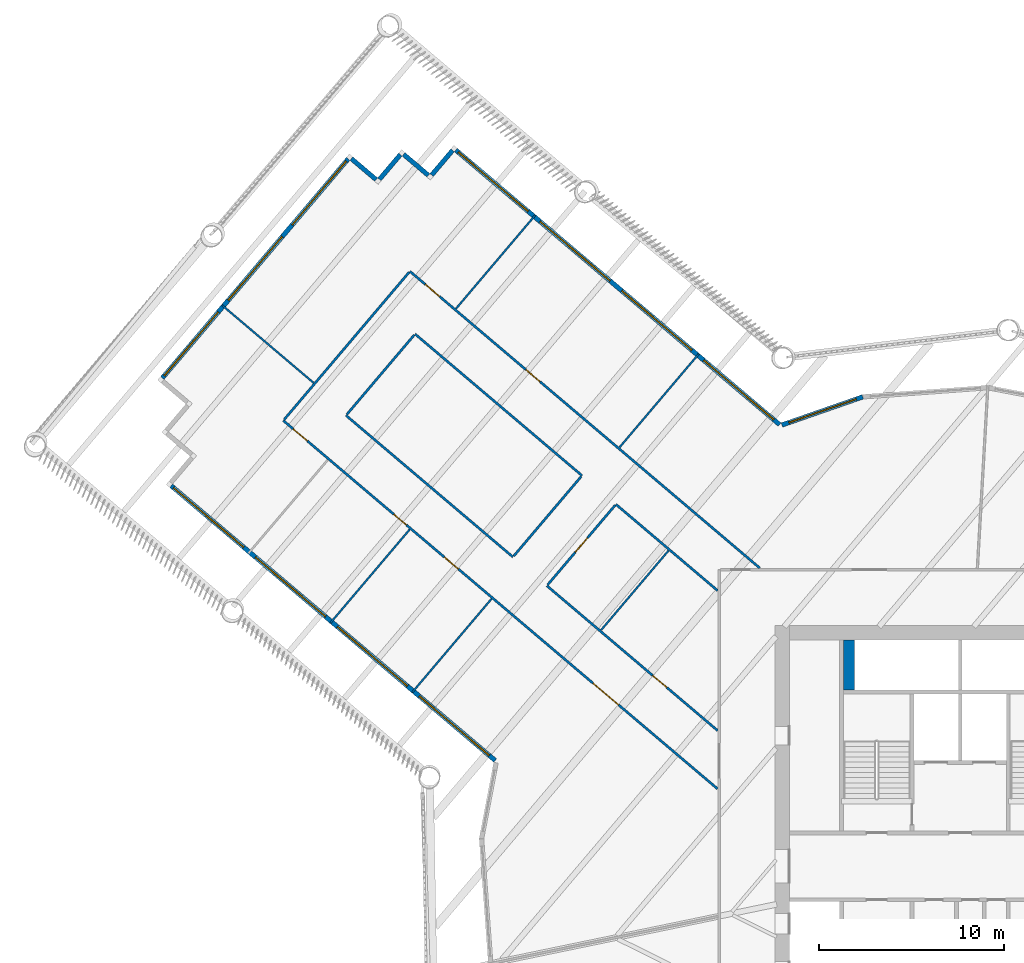
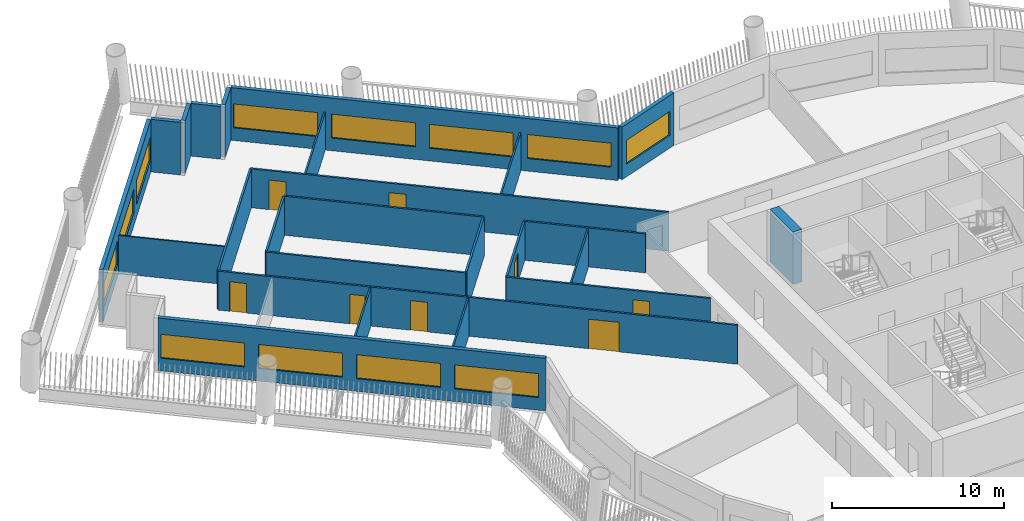
# One storey, part 6 of 16: 25 walls, 12 windows, 8 doors, 20 openings.
"""IFC4 building model written with IfcOpenShell, lengths in metres."""

from ifc_helpers import new_model, si_unit, direction, frame, frame_2d, origin, place, context, subcontext, project, spatial, rectangle, extrude, material, layer, layer_set, type_object, element, fill, save


model = new_model("IFC4")

# Units and contexts
model_context = context("Model", 3, precision=1e-05, world=origin(), true_north=direction((0.0, 1.0)))
body_context = subcontext(model_context, "Body", "Model", "MODEL_VIEW")
ifc_project = project(units=[si_unit("LENGTHUNIT", "METRE"), si_unit("AREAUNIT", "SQUARE_METRE"), si_unit("VOLUMEUNIT", "CUBIC_METRE"), si_unit("PLANEANGLEUNIT", "RADIAN"), si_unit("MASSUNIT", "GRAM", prefix="KILO")], contexts=[model_context])

# Site, building, storey
site_placement = place(None, origin())
site = spatial("IfcSite", under=ifc_project, at=site_placement, CompositionType="ELEMENT")
building_placement = place(site_placement, origin())
building = spatial("IfcBuilding", under=site, at=building_placement, Name="Tarsis Ring Headquarters", CompositionType="ELEMENT")
storey_placement = place(building_placement, frame((0.0, 0.0, 104.5)))
storey = spatial("IfcBuildingStorey", under=building, at=storey_placement, Name="L23", CompositionType="ELEMENT", Elevation=104.5)

# Walls
ifc_material_1 = material(Name="Gypsum board on steel studs", Category="steel")
ifc_layer_1 = layer(ifc_material_1, 0.10009765625)
ifc_layer_set_1 = layer_set([ifc_layer_1], Name="FL partition 100 unrated")
wall_type_1 = type_object("IfcWallType", Name="FL partition 100 unrated", PredefinedType="PARTITIONING", material=ifc_layer_set_1)
for number, where, z_axis, x_axis, name in (
    (1, (-27.20654296875, 30.087646484375, 0.0), (0.0, 0.0, 1.0), (0.646782559298, 0.762674452823, 0.0), "Partition PW3"),
    (2, (-18.382568359375, 22.604248046875, 0.0), (0.0, 0.0, 1.0), (0.646782559298, 0.762674452823, 0.0), "Partition PW3"),
    (3, (-33.97265625, 13.14208984375, 0.0), (0.0, 0.0, 1.0), (0.646804074998, 0.762656206011, 0.0), "Partition PW3"),
    (4, (-29.556640625, 9.397216796875, 0.0), (0.0, 0.0, 1.0), (0.646782559298, 0.762674452823, 0.0), "Partition PW3"),
):
    element("IfcWall", number, at=place(storey_placement, frame(where, z_axis=z_axis, x_axis=x_axis)), inside=storey, type_object=wall_type_1, Name=name, PredefinedType="PARTITIONING", context=body_context, shape_type="SweptSolid", body=[
        extrude(rectangle(XDim=6.60009765625, YDim=0.10009765625, at=frame_2d((3.300048828125, 0.0))), origin(), (0.0, 0.0, 1.0), 2.699951171875),
    ])
wall_1_placement = place(storey_placement, frame((-39.822265625, 30.270751953125, 0.0), z_axis=(0.0, 0.0, 1.0), x_axis=(0.762687362612, -0.646767335997, 0.0)))
element("IfcWall", 5, at=wall_1_placement, inside=storey, type_object=wall_type_1, Name="Partition PW3", PredefinedType="PARTITIONING", context=body_context, shape_type="SweptSolid", body=[
    extrude(rectangle(XDim=6.469970703125, YDim=0.10009765625, at=frame_2d((3.23486328125, 0.0))), origin(), (0.0, 0.0, 1.0), 2.699951171875),
])
wall_2_placement = place(storey_placement, frame((-19.3740234375, 12.74609375, 0.0), z_axis=(0.0, 0.0, 1.0), x_axis=(0.646800626413, 0.762659130721, 0.0)))
element("IfcWall", 6, at=wall_2_placement, inside=storey, type_object=wall_type_1, Name="Partition PW3", PredefinedType="PARTITIONING", context=body_context, shape_type="SweptSolid", body=[
    extrude(rectangle(XDim=5.619873046875, YDim=0.10009765625, at=frame_2d((2.81005859375, 0.0))), origin(), (0.0, 0.0, 1.0), 2.699951171875),
])

# Wall, openings, doors
ifc_layer_2 = layer(ifc_material_1, 0.125)
ifc_layer_set_2 = layer_set([ifc_layer_2], Name="FL partition 125 EI 60 H2770")
wall_type_2 = type_object("IfcWallType", Name="FL partition 125 EI 60 H2770", PredefinedType="PARTITIONING", material=ifc_layer_set_2)
wall_3_placement = place(storey_placement, frame((-36.5224609375, 24.05029296875, 0.0), z_axis=(0.0, 0.0, 1.0), x_axis=(0.762668419575, -0.646789673529, 0.0)))
wall_3 = element("IfcWall", 7, at=wall_3_placement, inside=storey, type_object=wall_type_2, Name="Partition PW1", PredefinedType="PARTITIONING", context=body_context, shape_type="SweptSolid", body=[
    extrude(rectangle(XDim=30.72216796875, YDim=0.125, at=frame_2d((15.361083984375, 0.0))), origin(), (0.0, 0.0, 1.0), 2.77001953125),
])
opening_1_placement = place(wall_3_placement, frame((0.699951171875, 0.0, 0.0)))
opening_1 = element("IfcOpeningElement", 8, at=opening_1_placement, cuts=wall_3, Name="Opening D23.01", PredefinedType="OPENING", context=body_context, shape_type="SweptSolid", body=[
    extrude(rectangle(XDim=1.0, YDim=2.10009765625, at=frame_2d((0.5, 1.050048828125))), frame((0.0, 0.072509765625, 0.0), z_axis=(0.0, -1.0, 0.0), x_axis=(1.0, 0.0, 0.0)), (0.0, 0.0, 1.0), 0.14501953125),
])
opening_2_placement = place(wall_3_placement, frame((21.915771484375, 0.0, 0.0)))
opening_2 = element("IfcOpeningElement", 9, at=opening_2_placement, cuts=wall_3, Name="Opening D23.16", PredefinedType="OPENING", context=body_context, shape_type="SweptSolid", body=[
    extrude(rectangle(XDim=1.800048828125, YDim=2.10009765625, at=frame_2d((0.89990234375, 1.050048828125))), frame((0.0, 0.072509765625, 0.0), z_axis=(0.0, -1.0, 0.0), x_axis=(1.0, 0.0, 0.0)), (0.0, 0.0, 1.0), 0.14501953125),
])
opening_3_placement = place(wall_3_placement, frame((11.392578125, 0.0, 0.0)))
opening_3 = element("IfcOpeningElement", 10, at=opening_3_placement, cuts=wall_3, Name="Opening D23.17", PredefinedType="OPENING", context=body_context, shape_type="SweptSolid", body=[
    extrude(rectangle(XDim=1.0, YDim=2.10009765625, at=frame_2d((0.5, 1.050048828125))), frame((0.0, 0.072509765625, 0.0), z_axis=(0.0, -1.0, 0.0), x_axis=(1.0, 0.0, 0.0)), (0.0, 0.0, 1.0), 0.14501953125),
])
opening_4_placement = place(wall_3_placement, frame((7.812255859375, 0.0, 0.0)))
opening_4 = element("IfcOpeningElement", 11, at=opening_4_placement, cuts=wall_3, Name="Opening D23.18", PredefinedType="OPENING", context=body_context, shape_type="SweptSolid", body=[
    extrude(rectangle(XDim=0.89990234375, YDim=2.10009765625, at=frame_2d((0.449951171875, 1.050048828125))), frame((0.0, 0.072509765625, 0.0), z_axis=(0.0, -1.0, 0.0), x_axis=(1.0, 0.0, 0.0)), (0.0, 0.0, 1.0), 0.14501953125),
])
ifc_material_2 = material(Name="Fire-rated timber door leaf in steel frame", Category="steel")
door_type_1 = type_object("IfcDoorType", Name="FL door FD60-1000", OperationType="NOTDEFINED", PredefinedType="DOOR", material=ifc_material_2)
door_1_placement = place(opening_1_placement, origin())
door_1 = element("IfcDoor", 12, at=door_1_placement, inside=storey, type_object=door_type_1, Name="Door D23.01", OperationType="SINGLE_SWING_RIGHT", OverallHeight=2.10009765625, OverallWidth=1.0, PredefinedType="DOOR", context=body_context, shape_type="SweptSolid", body=[
    extrude(rectangle(XDim=1.0, YDim=2.10009765625, at=frame_2d((0.5, 1.050048828125))), frame((0.0, 0.02490234375, 0.0), z_axis=(0.0, -1.0, 0.0), x_axis=(1.0, 0.0, 0.0)), (0.0, 0.0, 1.0), 0.050048828125),
])
fill(opening_1, door_1)
door_2_placement = place(opening_3_placement, origin())
door_2 = element("IfcDoor", 13, at=door_2_placement, inside=storey, type_object=door_type_1, Name="Door D23.17", OperationType="SINGLE_SWING_RIGHT", OverallHeight=2.10009765625, OverallWidth=1.0, PredefinedType="DOOR", context=body_context, shape_type="SweptSolid", body=[
    extrude(rectangle(XDim=1.0, YDim=2.10009765625, at=frame_2d((0.5, 1.050048828125))), frame((0.0, 0.02490234375, 0.0), z_axis=(0.0, -1.0, 0.0), x_axis=(1.0, 0.0, 0.0)), (0.0, 0.0, 1.0), 0.050048828125),
])
fill(opening_3, door_2)
door_type_2 = type_object("IfcDoorType", Name="FL door FD60-1800", OperationType="DOUBLE_DOOR_SINGLE_SWING", PredefinedType="DOOR", material=ifc_material_2)
door_3_placement = place(opening_2_placement, origin())
door_3 = element("IfcDoor", 14, at=door_3_placement, inside=storey, type_object=door_type_2, Name="Door D23.16", OperationType="DOUBLE_DOOR_SINGLE_SWING", OverallHeight=2.10009765625, OverallWidth=1.800048828125, PredefinedType="DOOR", context=body_context, shape_type="SweptSolid", body=[
    extrude(rectangle(XDim=1.800048828125, YDim=2.10009765625, at=frame_2d((0.89990234375, 1.050048828125))), frame((0.0, 0.02490234375, 0.0), z_axis=(0.0, -1.0, 0.0), x_axis=(1.0, 0.0, 0.0)), (0.0, 0.0, 1.0), 0.050048828125),
])
fill(opening_2, door_3)
door_type_3 = type_object("IfcDoorType", Name="FL door FD60-900", OperationType="NOTDEFINED", PredefinedType="DOOR", material=ifc_material_2)
door_4_placement = place(opening_4_placement, origin())
door_4 = element("IfcDoor", 15, at=door_4_placement, inside=storey, type_object=door_type_3, Name="Door D23.18", OperationType="SINGLE_SWING_LEFT", OverallHeight=2.10009765625, OverallWidth=0.89990234375, PredefinedType="DOOR", context=body_context, shape_type="SweptSolid", body=[
    extrude(rectangle(XDim=0.89990234375, YDim=2.10009765625, at=frame_2d((0.449951171875, 1.050048828125))), frame((0.0, 0.02490234375, 0.0), z_axis=(0.0, -1.0, 0.0), x_axis=(1.0, 0.0, 0.0)), (0.0, 0.0, 1.0), 0.050048828125),
])
fill(opening_4, door_4)

wall_4_placement = place(storey_placement, frame((-29.6923828125, 32.10400390625, 0.0), z_axis=(0.0, 0.0, 1.0), x_axis=(0.762665877064, -0.646792671543, 0.0)))
wall_4 = element("IfcWall", 16, at=wall_4_placement, inside=storey, type_object=wall_type_2, Name="Partition PW1", PredefinedType="PARTITIONING", context=body_context, shape_type="SweptSolid", body=[
    extrude(rectangle(XDim=24.748291015625, YDim=0.125, at=frame_2d((12.3740234375, 0.0))), origin(), (0.0, 0.0, 1.0), 2.77001953125),
])
opening_5_placement = place(wall_4_placement, frame((1.098876953125, 0.0, 0.0)))
opening_5 = element("IfcOpeningElement", 17, at=opening_5_placement, cuts=wall_4, Name="Opening D23.02", PredefinedType="OPENING", context=body_context, shape_type="SweptSolid", body=[
    extrude(rectangle(XDim=1.0, YDim=2.10009765625, at=frame_2d((0.5, 1.050048828125))), frame((0.0, 0.072509765625, 0.0), z_axis=(0.0, -1.0, 0.0), x_axis=(1.0, 0.0, 0.0)), (0.0, 0.0, 1.0), 0.14501953125),
])
opening_6_placement = place(wall_4_placement, frame((8.203857421875, 0.0, 0.0)))
opening_6 = element("IfcOpeningElement", 18, at=opening_6_placement, cuts=wall_4, Name="Opening D23.03", PredefinedType="OPENING", context=body_context, shape_type="SweptSolid", body=[
    extrude(rectangle(XDim=1.0, YDim=2.10009765625, at=frame_2d((0.5, 1.050048828125))), frame((0.0, 0.072509765625, 0.0), z_axis=(0.0, -1.0, 0.0), x_axis=(1.0, 0.0, 0.0)), (0.0, 0.0, 1.0), 0.14501953125),
])
door_5_placement = place(opening_5_placement, origin())
door_5 = element("IfcDoor", 19, at=door_5_placement, inside=storey, type_object=door_type_1, Name="Door D23.02", OperationType="SINGLE_SWING_LEFT", OverallHeight=2.10009765625, OverallWidth=1.0, PredefinedType="DOOR", context=body_context, shape_type="SweptSolid", body=[
    extrude(rectangle(XDim=1.0, YDim=2.10009765625, at=frame_2d((0.5, 1.050048828125))), frame((0.0, 0.02490234375, 0.0), z_axis=(0.0, -1.0, 0.0), x_axis=(1.0, 0.0, 0.0)), (0.0, 0.0, 1.0), 0.050048828125),
])
fill(opening_5, door_5)
door_6_placement = place(opening_6_placement, origin())
door_6 = element("IfcDoor", 20, at=door_6_placement, inside=storey, type_object=door_type_1, Name="Door D23.03", OperationType="SINGLE_SWING_RIGHT", OverallHeight=2.10009765625, OverallWidth=1.0, PredefinedType="DOOR", context=body_context, shape_type="SweptSolid", body=[
    extrude(rectangle(XDim=1.0, YDim=2.10009765625, at=frame_2d((0.5, 1.050048828125))), frame((0.0, 0.02490234375, 0.0), z_axis=(0.0, -1.0, 0.0), x_axis=(1.0, 0.0, 0.0)), (0.0, 0.0, 1.0), 0.050048828125),
])
fill(opening_6, door_6)

# Wall, opening, door
wall_5_placement = place(storey_placement, frame((-22.30224609375, 15.137451171875, 0.0), z_axis=(0.0, 0.0, 1.0), x_axis=(0.762666561976, -0.646791863928, 0.0)))
wall_5 = element("IfcWall", 21, at=wall_5_placement, inside=storey, type_object=wall_type_2, Name="Partition PW1", PredefinedType="PARTITIONING", context=body_context, shape_type="SweptSolid", body=[
    extrude(rectangle(XDim=12.076904296875, YDim=0.125, at=frame_2d((6.03857421875, 0.0))), origin(), (0.0, 0.0, 1.0), 2.77001953125),
])
opening_7_placement = place(wall_5_placement, frame((7.486572265625, 0.0, 0.0)))
opening_7 = element("IfcOpeningElement", 22, at=opening_7_placement, cuts=wall_5, Name="Opening D23.19", PredefinedType="OPENING", context=body_context, shape_type="SweptSolid", body=[
    extrude(rectangle(XDim=1.0, YDim=2.10009765625, at=frame_2d((0.5, 1.050048828125))), frame((0.0, 0.072509765625, 0.0), z_axis=(0.0, -1.0, 0.0), x_axis=(1.0, 0.0, 0.0)), (0.0, 0.0, 1.0), 0.14501953125),
])
door_7_placement = place(opening_7_placement, origin())
door_7 = element("IfcDoor", 23, at=door_7_placement, inside=storey, type_object=door_type_1, Name="Door D23.19", OperationType="SINGLE_SWING_RIGHT", OverallHeight=2.10009765625, OverallWidth=1.0, PredefinedType="DOOR", context=body_context, shape_type="SweptSolid", body=[
    extrude(rectangle(XDim=1.0, YDim=2.10009765625, at=frame_2d((0.5, 1.050048828125))), frame((0.0, 0.02490234375, 0.0), z_axis=(0.0, -1.0, 0.0), x_axis=(1.0, 0.0, 0.0)), (0.0, 0.0, 1.0), 0.050048828125),
])
fill(opening_7, door_7)

# Walls
wall_6_placement = place(storey_placement, frame((-33.139892578125, 24.328369140625, 0.0), z_axis=(0.0, 0.0, 1.0), x_axis=(0.762663631713, -0.64679531914, 0.0)))
element("IfcWall", 24, at=wall_6_placement, inside=storey, type_object=wall_type_2, Name="Partition PW1", PredefinedType="PARTITIONING", context=body_context, shape_type="SweptSolid", body=[
    extrude(rectangle(XDim=11.81005859375, YDim=0.125, at=frame_2d((5.905029296875, 0.0))), origin(), (0.0, 0.0, 1.0), 2.77001953125),
])
wall_7_placement = place(storey_placement, frame((-29.414306640625, 28.72119140625, 0.0), z_axis=(0.0, 0.0, 1.0), x_axis=(0.762673829143, -0.646783294728, 0.0)))
element("IfcWall", 25, at=wall_7_placement, inside=storey, type_object=wall_type_2, Name="Partition PW1", PredefinedType="PARTITIONING", context=body_context, shape_type="SweptSolid", body=[
    extrude(rectangle(XDim=11.809814453125, YDim=0.125, at=frame_2d((5.90478515625, 0.0))), origin(), (0.0, 0.0, 1.0), 2.77001953125),
])
wall_8_placement = place(storey_placement, frame((-36.483642578125, 24.095947265625, 0.0), z_axis=(0.0, 0.0, 1.0), x_axis=(0.646780483776, 0.762676212954, 0.0)))
element("IfcWall", 26, at=wall_8_placement, inside=storey, type_object=wall_type_2, Name="Partition PW1", PredefinedType="PARTITIONING", context=body_context, shape_type="SweptSolid", body=[
    extrude(rectangle(XDim=10.440185546875, YDim=0.125, at=frame_2d((5.22021484375, 0.0))), origin(), (0.0, 0.0, 1.0), 2.77001953125),
])
wall_9_placement = place(storey_placement, frame((-18.576904296875, 19.530517578125, 0.0), z_axis=(0.0, 0.0, 1.0), x_axis=(0.762672510208, -0.646784849987, 0.0)))
element("IfcWall", 27, at=wall_9_placement, inside=storey, type_object=wall_type_2, Name="Partition PW1", PredefinedType="PARTITIONING", context=body_context, shape_type="SweptSolid", body=[
    extrude(rectangle(XDim=7.1923828125, YDim=0.125, at=frame_2d((3.59619140625, 0.0))), origin(), (0.0, 0.0, 1.0), 2.77001953125),
])
wall_10_placement = place(storey_placement, frame((-33.10107421875, 24.3740234375, 0.0), z_axis=(0.0, 0.0, 1.0), x_axis=(0.64678981441, 0.762668300099, 0.0)))
element("IfcWall", 28, at=wall_10_placement, inside=storey, type_object=wall_type_2, Name="Partition PW1", PredefinedType="PARTITIONING", context=body_context, shape_type="SweptSolid", body=[
    extrude(rectangle(XDim=5.64013671875, YDim=0.125, at=frame_2d((2.820068359375, 0.0))), origin(), (0.0, 0.0, 1.0), 2.77001953125),
])

# Wall, opening, door
wall_11_placement = place(storey_placement, frame((-22.263427734375, 15.18310546875, 0.0), z_axis=(0.0, 0.0, 1.0), x_axis=(0.64678981441, 0.762668300099, 0.0)))
wall_11 = element("IfcWall", 29, at=wall_11_placement, inside=storey, type_object=wall_type_2, Name="Partition PW1", PredefinedType="PARTITIONING", context=body_context, shape_type="SweptSolid", body=[
    extrude(rectangle(XDim=5.64013671875, YDim=0.125, at=frame_2d((2.820068359375, 0.0))), origin(), (0.0, 0.0, 1.0), 2.77001953125),
])
opening_8_placement = place(wall_11_placement, frame((2.320068359375, 0.0, 0.0)))
opening_8 = element("IfcOpeningElement", 30, at=opening_8_placement, cuts=wall_11, Name="Opening D23.20", PredefinedType="OPENING", context=body_context, shape_type="SweptSolid", body=[
    extrude(rectangle(XDim=1.0, YDim=2.10009765625, at=frame_2d((0.5, 1.050048828125))), frame((0.0, 0.072509765625, 0.0), z_axis=(0.0, -1.0, 0.0), x_axis=(1.0, 0.0, 0.0)), (0.0, 0.0, 1.0), 0.14501953125),
])
door_8_placement = place(opening_8_placement, origin())
door_8 = element("IfcDoor", 31, at=door_8_placement, inside=storey, type_object=door_type_1, Name="Door D23.20", OperationType="SINGLE_SWING_LEFT", OverallHeight=2.10009765625, OverallWidth=1.0, PredefinedType="DOOR", context=body_context, shape_type="SweptSolid", body=[
    extrude(rectangle(XDim=1.0, YDim=2.10009765625, at=frame_2d((0.5, 1.050048828125))), frame((0.0, 0.02490234375, 0.0), z_axis=(0.0, -1.0, 0.0), x_axis=(1.0, 0.0, 0.0)), (0.0, 0.0, 1.0), 0.050048828125),
])
fill(opening_8, door_8)

# Wall
wall_12_placement = place(storey_placement, frame((-24.093994140625, 16.735595703125, 0.0), z_axis=(0.0, 0.0, 1.0), x_axis=(0.64678981441, 0.762668300099, 0.0)))
element("IfcWall", 32, at=wall_12_placement, inside=storey, type_object=wall_type_2, Name="Partition PW1", PredefinedType="PARTITIONING", context=body_context, shape_type="SweptSolid", body=[
    extrude(rectangle(XDim=5.64013671875, YDim=0.125, at=frame_2d((2.820068359375, 0.0))), origin(), (0.0, 0.0, 1.0), 2.77001953125),
])

# Wall, openings, windows
ifc_material_3 = material(Name="Terracotta clad insulated panel wall", Category="masonry")
ifc_layer_3 = layer(ifc_material_3, 0.25)
ifc_layer_set_3 = layer_set([ifc_layer_3], Name="Facade wall terracotta panel 250")
wall_type_3 = type_object("IfcWallType", Name="Facade wall terracotta panel 250", PredefinedType="STANDARD", material=ifc_layer_set_3)
wall_13_placement = place(storey_placement, frame((-42.57275390625, 20.533935546875, 0.0), z_axis=(0.0, 0.0, 1.0), x_axis=(0.762669927662, -0.646787895249, 0.0)))
wall_13 = element("IfcWall", 33, at=wall_13_placement, inside=storey, type_object=wall_type_3, Name="External wall L23-01", PredefinedType="STANDARD", context=body_context, shape_type="SweptSolid", body=[
    extrude(rectangle(XDim=22.922119140625, YDim=0.25, at=frame_2d((11.4609375, 0.0))), origin(), (0.0, 0.0, 1.0), 3.739990234375),
])
opening_9_placement = place(wall_13_placement, frame((0.17138671875, 0.0, 0.89990234375)))
opening_9 = element("IfcOpeningElement", 34, at=opening_9_placement, cuts=wall_13, Name="Opening WN05", PredefinedType="OPENING", context=body_context, shape_type="SweptSolid", body=[
    extrude(rectangle(XDim=4.949951171875, YDim=1.699951171875, at=frame_2d((2.47509765625, 0.85009765625))), frame((0.0, 0.135009765625, 0.0), z_axis=(0.0, -1.0, 0.0), x_axis=(1.0, 0.0, 0.0)), (0.0, 0.0, 1.0), 0.27001953125),
])
opening_10_placement = place(wall_13_placement, frame((5.964599609375, 0.0, 0.89990234375)))
opening_10 = element("IfcOpeningElement", 35, at=opening_10_placement, cuts=wall_13, Name="Opening WN05", PredefinedType="OPENING", context=body_context, shape_type="SweptSolid", body=[
    extrude(rectangle(XDim=4.949951171875, YDim=1.699951171875, at=frame_2d((2.47509765625, 0.85009765625))), frame((0.0, 0.135009765625, 0.0), z_axis=(0.0, -1.0, 0.0), x_axis=(1.0, 0.0, 0.0)), (0.0, 0.0, 1.0), 0.27001953125),
])
opening_11_placement = place(wall_13_placement, frame((11.757568359375, 0.0, 0.89990234375)))
opening_11 = element("IfcOpeningElement", 36, at=opening_11_placement, cuts=wall_13, Name="Opening WN05", PredefinedType="OPENING", context=body_context, shape_type="SweptSolid", body=[
    extrude(rectangle(XDim=4.949951171875, YDim=1.699951171875, at=frame_2d((2.47509765625, 0.85009765625))), frame((0.0, 0.135009765625, 0.0), z_axis=(0.0, -1.0, 0.0), x_axis=(1.0, 0.0, 0.0)), (0.0, 0.0, 1.0), 0.27001953125),
])
opening_12_placement = place(wall_13_placement, frame((17.550537109375, 0.0, 0.89990234375)))
opening_12 = element("IfcOpeningElement", 37, at=opening_12_placement, cuts=wall_13, Name="Opening WN05", PredefinedType="OPENING", context=body_context, shape_type="SweptSolid", body=[
    extrude(rectangle(XDim=4.949951171875, YDim=1.699951171875, at=frame_2d((2.47509765625, 0.85009765625))), frame((0.0, 0.135009765625, 0.0), z_axis=(0.0, -1.0, 0.0), x_axis=(1.0, 0.0, 0.0)), (0.0, 0.0, 1.0), 0.27001953125),
])
ifc_material_4 = material(Name="Aluminium framed double glazing", Category="aluminium")
window_type_1 = type_object("IfcWindowType", Name="Facade window 4950 x 1700", PartitioningType="SINGLE_PANEL", PredefinedType="WINDOW", material=ifc_material_4)
window_1_placement = place(opening_9_placement, origin())
window_1 = element("IfcWindow", 38, at=window_1_placement, inside=storey, type_object=window_type_1, Name="Window L23-01.1", OverallHeight=1.699951171875, OverallWidth=4.949951171875, PartitioningType="SINGLE_PANEL", PredefinedType="WINDOW", context=body_context, shape_type="SweptSolid", body=[
    extrude(rectangle(XDim=4.949951171875, YDim=1.699951171875, at=frame_2d((2.47509765625, 0.85009765625))), frame((0.0, 0.030029296875, 0.0), z_axis=(0.0, -1.0, 0.0), x_axis=(1.0, 0.0, 0.0)), (0.0, 0.0, 1.0), 0.06005859375),
])
fill(opening_9, window_1)
window_2_placement = place(opening_10_placement, origin())
window_2 = element("IfcWindow", 39, at=window_2_placement, inside=storey, type_object=window_type_1, Name="Window L23-01.2", OverallHeight=1.699951171875, OverallWidth=4.949951171875, PartitioningType="SINGLE_PANEL", PredefinedType="WINDOW", context=body_context, shape_type="SweptSolid", body=[
    extrude(rectangle(XDim=4.949951171875, YDim=1.699951171875, at=frame_2d((2.47509765625, 0.85009765625))), frame((0.0, 0.030029296875, 0.0), z_axis=(0.0, -1.0, 0.0), x_axis=(1.0, 0.0, 0.0)), (0.0, 0.0, 1.0), 0.06005859375),
])
fill(opening_10, window_2)
window_3_placement = place(opening_11_placement, origin())
window_3 = element("IfcWindow", 40, at=window_3_placement, inside=storey, type_object=window_type_1, Name="Window L23-01.3", OverallHeight=1.699951171875, OverallWidth=4.949951171875, PartitioningType="SINGLE_PANEL", PredefinedType="WINDOW", context=body_context, shape_type="SweptSolid", body=[
    extrude(rectangle(XDim=4.949951171875, YDim=1.699951171875, at=frame_2d((2.47509765625, 0.85009765625))), frame((0.0, 0.030029296875, 0.0), z_axis=(0.0, -1.0, 0.0), x_axis=(1.0, 0.0, 0.0)), (0.0, 0.0, 1.0), 0.06005859375),
])
fill(opening_11, window_3)
window_4_placement = place(opening_12_placement, origin())
window_4 = element("IfcWindow", 41, at=window_4_placement, inside=storey, type_object=window_type_1, Name="Window L23-01.4", OverallHeight=1.699951171875, OverallWidth=4.949951171875, PartitioningType="SINGLE_PANEL", PredefinedType="WINDOW", context=body_context, shape_type="SweptSolid", body=[
    extrude(rectangle(XDim=4.949951171875, YDim=1.699951171875, at=frame_2d((2.47509765625, 0.85009765625))), frame((0.0, 0.030029296875, 0.0), z_axis=(0.0, -1.0, 0.0), x_axis=(1.0, 0.0, 0.0)), (0.0, 0.0, 1.0), 0.06005859375),
])
fill(opening_12, window_4)

# Wall, opening, window
wall_14_placement = place(storey_placement, frame((-5.262451171875, 25.330810546875, 0.0), z_axis=(0.0, 0.0, 1.0), x_axis=(-0.944379761112, -0.328856909311, 0.0)))
wall_14 = element("IfcWall", 42, at=wall_14_placement, inside=storey, type_object=wall_type_3, Name="External wall L23-30", PredefinedType="STANDARD", context=body_context, shape_type="SweptSolid", body=[
    extrude(rectangle(XDim=4.61767578125, YDim=0.25, at=frame_2d((2.308837890625, 0.0))), origin(), (0.0, 0.0, 1.0), 3.739990234375),
])
opening_13_placement = place(wall_14_placement, frame((0.367431640625, 0.0, 0.89990234375)))
opening_13 = element("IfcOpeningElement", 43, at=opening_13_placement, cuts=wall_14, Name="Opening WN02", PredefinedType="OPENING", context=body_context, shape_type="SweptSolid", body=[
    extrude(rectangle(XDim=3.85009765625, YDim=1.699951171875, at=frame_2d((1.925048828125, 0.85009765625))), frame((0.0, 0.135009765625, 0.0), z_axis=(0.0, -1.0, 0.0), x_axis=(1.0, 0.0, 0.0)), (0.0, 0.0, 1.0), 0.27001953125),
])
window_type_2 = type_object("IfcWindowType", Name="Facade window 3850 x 1700", PartitioningType="SINGLE_PANEL", PredefinedType="WINDOW", material=ifc_material_4)
window_5_placement = place(opening_13_placement, origin())
window_5 = element("IfcWindow", 44, at=window_5_placement, inside=storey, type_object=window_type_2, Name="Window L23-30.1", OverallHeight=1.699951171875, OverallWidth=3.85009765625, PartitioningType="SINGLE_PANEL", PredefinedType="WINDOW", context=body_context, shape_type="SweptSolid", body=[
    extrude(rectangle(XDim=3.85009765625, YDim=1.699951171875, at=frame_2d((1.925048828125, 0.85009765625))), frame((0.0, 0.030029296875, 0.0), z_axis=(0.0, -1.0, 0.0), x_axis=(1.0, 0.0, 0.0)), (0.0, 0.0, 1.0), 0.06005859375),
])
fill(opening_13, window_5)

# Wall, openings, windows
wall_15_placement = place(storey_placement, frame((-9.745361328125, 23.8349609375, 0.0), z_axis=(0.0, 0.0, 1.0), x_axis=(-0.762669276986, 0.646788662502, 0.0)))
wall_15 = element("IfcWall", 45, at=wall_15_placement, inside=storey, type_object=wall_type_3, Name="External wall L23-31", PredefinedType="STANDARD", context=body_context, shape_type="SweptSolid", body=[
    extrude(rectangle(XDim=22.901123046875, YDim=0.25, at=frame_2d((11.45068359375, 0.0))), origin(), (0.0, 0.0, 1.0), 3.739990234375),
])
opening_14_placement = place(wall_15_placement, frame((0.4189453125, 0.0, 0.89990234375)))
opening_14 = element("IfcOpeningElement", 46, at=opening_14_placement, cuts=wall_15, Name="Opening WN05", PredefinedType="OPENING", context=body_context, shape_type="SweptSolid", body=[
    extrude(rectangle(XDim=4.949951171875, YDim=1.699951171875, at=frame_2d((2.47509765625, 0.85009765625))), frame((0.0, 0.135009765625, 0.0), z_axis=(0.0, -1.0, 0.0), x_axis=(1.0, 0.0, 0.0)), (0.0, 0.0, 1.0), 0.27001953125),
])
opening_15_placement = place(wall_15_placement, frame((6.206787109375, 0.0, 0.89990234375)))
opening_15 = element("IfcOpeningElement", 47, at=opening_15_placement, cuts=wall_15, Name="Opening WN05", PredefinedType="OPENING", context=body_context, shape_type="SweptSolid", body=[
    extrude(rectangle(XDim=4.949951171875, YDim=1.699951171875, at=frame_2d((2.47509765625, 0.85009765625))), frame((0.0, 0.135009765625, 0.0), z_axis=(0.0, -1.0, 0.0), x_axis=(1.0, 0.0, 0.0)), (0.0, 0.0, 1.0), 0.27001953125),
])
opening_16_placement = place(wall_15_placement, frame((11.99462890625, 0.0, 0.89990234375)))
opening_16 = element("IfcOpeningElement", 48, at=opening_16_placement, cuts=wall_15, Name="Opening WN05", PredefinedType="OPENING", context=body_context, shape_type="SweptSolid", body=[
    extrude(rectangle(XDim=4.949951171875, YDim=1.699951171875, at=frame_2d((2.47509765625, 0.85009765625))), frame((0.0, 0.135009765625, 0.0), z_axis=(0.0, -1.0, 0.0), x_axis=(1.0, 0.0, 0.0)), (0.0, 0.0, 1.0), 0.27001953125),
])
opening_17_placement = place(wall_15_placement, frame((17.782470703125, 0.0, 0.89990234375)))
opening_17 = element("IfcOpeningElement", 49, at=opening_17_placement, cuts=wall_15, Name="Opening WN05", PredefinedType="OPENING", context=body_context, shape_type="SweptSolid", body=[
    extrude(rectangle(XDim=4.949951171875, YDim=1.699951171875, at=frame_2d((2.47509765625, 0.85009765625))), frame((0.0, 0.135009765625, 0.0), z_axis=(0.0, -1.0, 0.0), x_axis=(1.0, 0.0, 0.0)), (0.0, 0.0, 1.0), 0.27001953125),
])
window_6_placement = place(opening_14_placement, origin())
window_6 = element("IfcWindow", 50, at=window_6_placement, inside=storey, type_object=window_type_1, Name="Window L23-31.1", OverallHeight=1.699951171875, OverallWidth=4.949951171875, PartitioningType="SINGLE_PANEL", PredefinedType="WINDOW", context=body_context, shape_type="SweptSolid", body=[
    extrude(rectangle(XDim=4.949951171875, YDim=1.699951171875, at=frame_2d((2.47509765625, 0.85009765625))), frame((0.0, 0.030029296875, 0.0), z_axis=(0.0, -1.0, 0.0), x_axis=(1.0, 0.0, 0.0)), (0.0, 0.0, 1.0), 0.06005859375),
])
fill(opening_14, window_6)
window_7_placement = place(opening_15_placement, origin())
window_7 = element("IfcWindow", 51, at=window_7_placement, inside=storey, type_object=window_type_1, Name="Window L23-31.2", OverallHeight=1.699951171875, OverallWidth=4.949951171875, PartitioningType="SINGLE_PANEL", PredefinedType="WINDOW", context=body_context, shape_type="SweptSolid", body=[
    extrude(rectangle(XDim=4.949951171875, YDim=1.699951171875, at=frame_2d((2.47509765625, 0.85009765625))), frame((0.0, 0.030029296875, 0.0), z_axis=(0.0, -1.0, 0.0), x_axis=(1.0, 0.0, 0.0)), (0.0, 0.0, 1.0), 0.06005859375),
])
fill(opening_15, window_7)
window_8_placement = place(opening_16_placement, origin())
window_8 = element("IfcWindow", 52, at=window_8_placement, inside=storey, type_object=window_type_1, Name="Window L23-31.3", OverallHeight=1.699951171875, OverallWidth=4.949951171875, PartitioningType="SINGLE_PANEL", PredefinedType="WINDOW", context=body_context, shape_type="SweptSolid", body=[
    extrude(rectangle(XDim=4.949951171875, YDim=1.699951171875, at=frame_2d((2.47509765625, 0.85009765625))), frame((0.0, 0.030029296875, 0.0), z_axis=(0.0, -1.0, 0.0), x_axis=(1.0, 0.0, 0.0)), (0.0, 0.0, 1.0), 0.06005859375),
])
fill(opening_16, window_8)
window_9_placement = place(opening_17_placement, origin())
window_9 = element("IfcWindow", 53, at=window_9_placement, inside=storey, type_object=window_type_1, Name="Window L23-31.4", OverallHeight=1.699951171875, OverallWidth=4.949951171875, PartitioningType="SINGLE_PANEL", PredefinedType="WINDOW", context=body_context, shape_type="SweptSolid", body=[
    extrude(rectangle(XDim=4.949951171875, YDim=1.699951171875, at=frame_2d((2.47509765625, 0.85009765625))), frame((0.0, 0.030029296875, 0.0), z_axis=(0.0, -1.0, 0.0), x_axis=(1.0, 0.0, 0.0)), (0.0, 0.0, 1.0), 0.06005859375),
])
fill(opening_17, window_9)

# Walls
wall_16_placement = place(storey_placement, frame((-27.3876953125, 38.6328125, 0.0), z_axis=(0.0, 0.0, 1.0), x_axis=(-0.646761120773, -0.762692633147, 0.0)))
element("IfcWall", 54, at=wall_16_placement, inside=storey, type_object=wall_type_3, Name="External wall L23-32", PredefinedType="STANDARD", context=body_context, shape_type="SweptSolid", body=[
    extrude(rectangle(XDim=1.75, YDim=0.25, at=frame_2d((0.875, 0.0))), origin(), (0.0, 0.0, 1.0), 3.739990234375),
])
wall_17_placement = place(storey_placement, frame((-28.69580078125, 37.28369140625, 0.0), z_axis=(0.0, 0.0, 1.0), x_axis=(-0.762634267459, 0.646829942177, 0.0)))
element("IfcWall", 55, at=wall_17_placement, inside=storey, type_object=wall_type_3, Name="External wall L23-33", PredefinedType="STANDARD", context=body_context, shape_type="SweptSolid", body=[
    extrude(rectangle(XDim=1.749755859375, YDim=0.25, at=frame_2d((0.875, 0.0))), origin(), (0.0, 0.0, 1.0), 3.739990234375),
])
for number, where, z_axis, x_axis, name in (
    (56, (-30.20654296875, 38.401123046875, 0.0), (0.0, 0.0, 1.0), (-0.646761120773, -0.762692633147, 0.0), "External wall L23-34"),
    (57, (-31.5146484375, 37.052001953125, 0.0), (0.0, 0.0, 1.0), (-0.762692633147, 0.646761120773, 0.0), "External wall L23-35"),
):
    element("IfcWall", number, at=place(storey_placement, frame(where, z_axis=z_axis, x_axis=x_axis)), inside=storey, type_object=wall_type_3, Name=name, PredefinedType="STANDARD", context=body_context, shape_type="SweptSolid", body=[
        extrude(rectangle(XDim=1.75, YDim=0.25, at=frame_2d((0.875, 0.0))), origin(), (0.0, 0.0, 1.0), 3.739990234375),
    ])

# Wall, openings, windows
wall_18_placement = place(storey_placement, frame((-33.025390625, 38.16943359375, 0.0), z_axis=(0.0, 0.0, 1.0), x_axis=(-0.646789832089, -0.762668285106, 0.0)))
wall_18 = element("IfcWall", 58, at=wall_18_placement, inside=storey, type_object=wall_type_3, Name="External wall L23-36", PredefinedType="STANDARD", context=body_context, shape_type="SweptSolid", body=[
    extrude(rectangle(XDim=15.500244140625, YDim=0.25, at=frame_2d((7.75, 0.0))), origin(), (0.0, 0.0, 1.0), 3.739990234375),
])
opening_18_placement = place(wall_18_placement, frame((0.166748046875, 0.0, 0.89990234375)))
opening_18 = element("IfcOpeningElement", 59, at=opening_18_placement, cuts=wall_18, Name="Opening WN04", PredefinedType="OPENING", context=body_context, shape_type="SweptSolid", body=[
    extrude(rectangle(XDim=4.5, YDim=1.699951171875, at=frame_2d((2.25, 0.85009765625))), frame((0.0, 0.135009765625, 0.0), z_axis=(0.0, -1.0, 0.0), x_axis=(1.0, 0.0, 0.0)), (0.0, 0.0, 1.0), 0.27001953125),
])
opening_19_placement = place(wall_18_placement, frame((5.5, 0.0, 0.89990234375)))
opening_19 = element("IfcOpeningElement", 60, at=opening_19_placement, cuts=wall_18, Name="Opening WN04", PredefinedType="OPENING", context=body_context, shape_type="SweptSolid", body=[
    extrude(rectangle(XDim=4.5, YDim=1.699951171875, at=frame_2d((2.25, 0.85009765625))), frame((0.0, 0.135009765625, 0.0), z_axis=(0.0, -1.0, 0.0), x_axis=(1.0, 0.0, 0.0)), (0.0, 0.0, 1.0), 0.27001953125),
])
opening_20_placement = place(wall_18_placement, frame((10.833251953125, 0.0, 0.89990234375)))
opening_20 = element("IfcOpeningElement", 61, at=opening_20_placement, cuts=wall_18, Name="Opening WN04", PredefinedType="OPENING", context=body_context, shape_type="SweptSolid", body=[
    extrude(rectangle(XDim=4.5, YDim=1.699951171875, at=frame_2d((2.25, 0.85009765625))), frame((0.0, 0.135009765625, 0.0), z_axis=(0.0, -1.0, 0.0), x_axis=(1.0, 0.0, 0.0)), (0.0, 0.0, 1.0), 0.27001953125),
])
window_type_3 = type_object("IfcWindowType", Name="Facade window 4500 x 1700", PartitioningType="SINGLE_PANEL", PredefinedType="WINDOW", material=ifc_material_4)
window_10_placement = place(opening_18_placement, origin())
window_10 = element("IfcWindow", 62, at=window_10_placement, inside=storey, type_object=window_type_3, Name="Window L23-36.1", OverallHeight=1.699951171875, OverallWidth=4.5, PartitioningType="SINGLE_PANEL", PredefinedType="WINDOW", context=body_context, shape_type="SweptSolid", body=[
    extrude(rectangle(XDim=4.5, YDim=1.699951171875, at=frame_2d((2.25, 0.85009765625))), frame((0.0, 0.030029296875, 0.0), z_axis=(0.0, -1.0, 0.0), x_axis=(1.0, 0.0, 0.0)), (0.0, 0.0, 1.0), 0.06005859375),
])
fill(opening_18, window_10)
window_11_placement = place(opening_19_placement, origin())
window_11 = element("IfcWindow", 63, at=window_11_placement, inside=storey, type_object=window_type_3, Name="Window L23-36.2", OverallHeight=1.699951171875, OverallWidth=4.5, PartitioningType="SINGLE_PANEL", PredefinedType="WINDOW", context=body_context, shape_type="SweptSolid", body=[
    extrude(rectangle(XDim=4.5, YDim=1.699951171875, at=frame_2d((2.25, 0.85009765625))), frame((0.0, 0.030029296875, 0.0), z_axis=(0.0, -1.0, 0.0), x_axis=(1.0, 0.0, 0.0)), (0.0, 0.0, 1.0), 0.06005859375),
])
fill(opening_19, window_11)
window_12_placement = place(opening_20_placement, origin())
window_12 = element("IfcWindow", 64, at=window_12_placement, inside=storey, type_object=window_type_3, Name="Window L23-36.3", OverallHeight=1.699951171875, OverallWidth=4.5, PartitioningType="SINGLE_PANEL", PredefinedType="WINDOW", context=body_context, shape_type="SweptSolid", body=[
    extrude(rectangle(XDim=4.5, YDim=1.699951171875, at=frame_2d((2.25, 0.85009765625))), frame((0.0, 0.030029296875, 0.0), z_axis=(0.0, -1.0, 0.0), x_axis=(1.0, 0.0, 0.0)), (0.0, 0.0, 1.0), 0.06005859375),
])
fill(opening_20, window_12)

# Wall
ifc_material_5 = material(Name="Concrete C32/40", Category="concrete")
ifc_layer_4 = layer(ifc_material_5, 0.60009765625)
ifc_layer_set_4 = layer_set([ifc_layer_4], Name="Shaft end wall 600 C32/40")
wall_type_4 = type_object("IfcWallType", Name="Shaft end wall 600 C32/40", PredefinedType="SOLIDWALL", material=ifc_layer_set_4)
wall_19_placement = place(storey_placement, frame((-6.0, 9.5, 0.0), z_axis=(0.0, 0.0, 1.0), x_axis=(0.0, 1.0, 0.0)))
element("IfcWall", 65, at=wall_19_placement, inside=storey, type_object=wall_type_4, Name="Core shaft wall NNE1", PredefinedType="SOLIDWALL", context=body_context, shape_type="SweptSolid", body=[
    extrude(rectangle(XDim=2.699951171875, YDim=0.60009765625, at=frame_2d((1.35009765625, 0.0))), origin(), (0.0, 0.0, 1.0), 3.739990234375),
])

save(model, "model.ifc")
